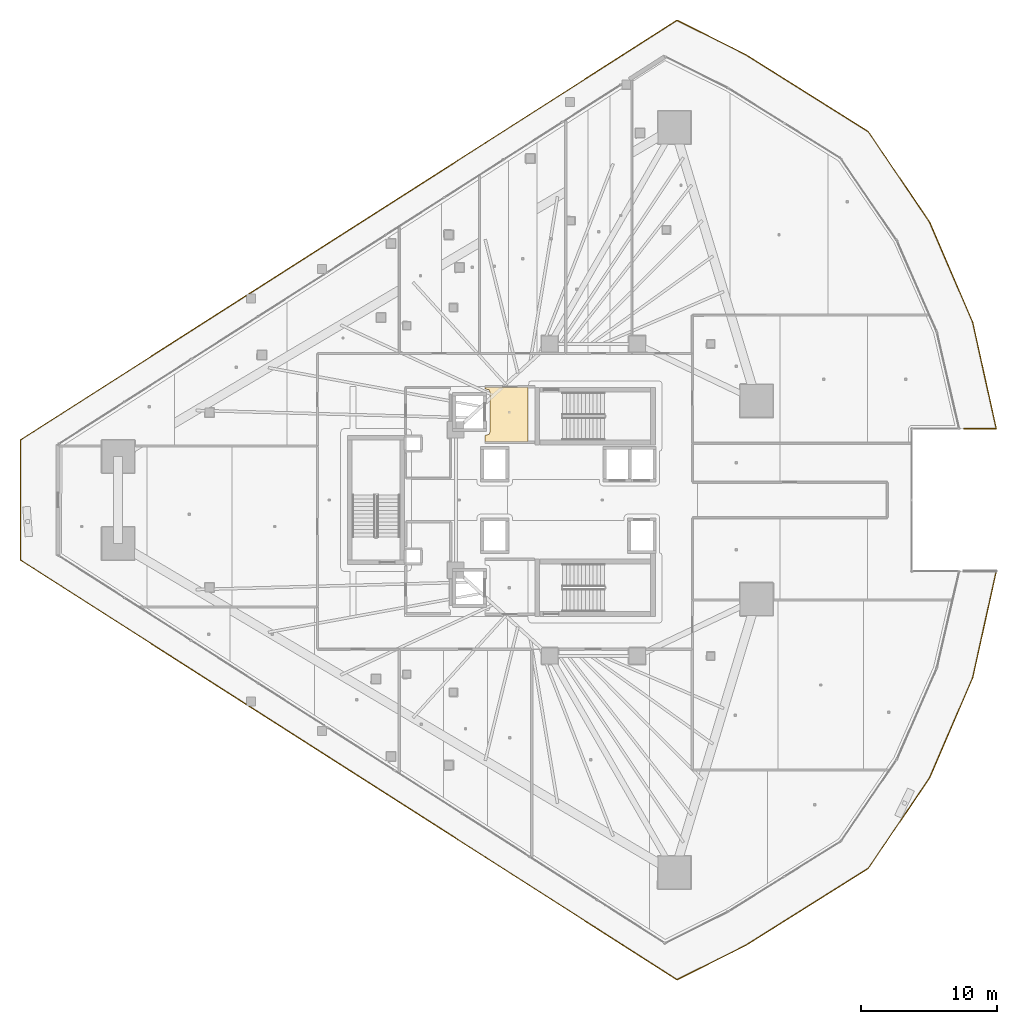
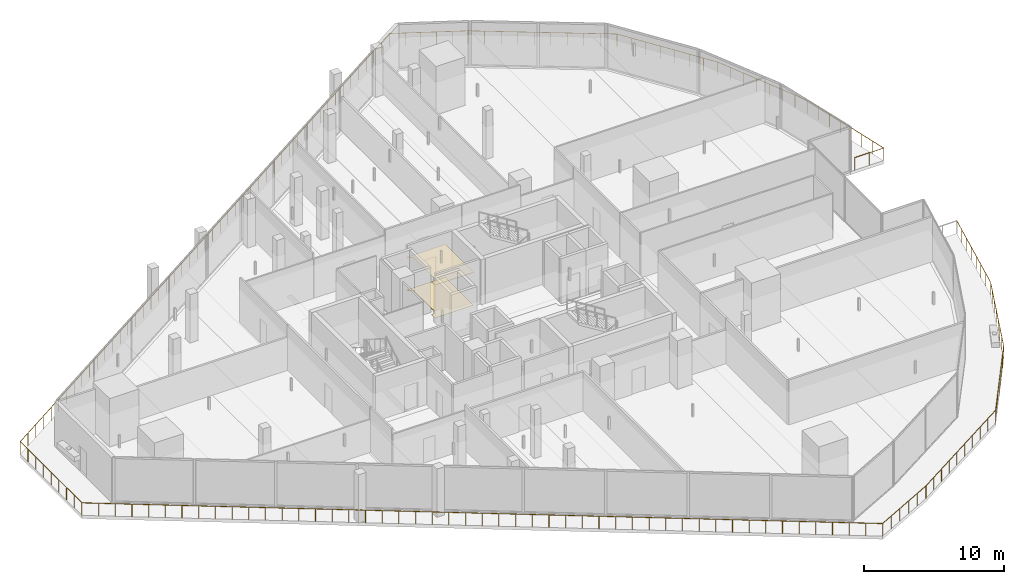
# One storey, part 42 of 44: 2 coverings, 1 railing.
"""IFC4 building model written with IfcOpenShell, lengths in metres."""

from ifc_helpers import new_model, si_unit, direction, frame, origin, origin_2d, place, context, subcontext, project, spatial, polyline, circle, outline, extrude, material, layer, layer_set, type_object, element, save


model = new_model("IFC4")

# Units and contexts
model_context = context("Model", 3, precision=1e-05, world=origin(), true_north=direction((0.0, 1.0)))
body_context = subcontext(model_context, "Body", "Model", "MODEL_VIEW")
ifc_project = project(units=[si_unit("LENGTHUNIT", "METRE"), si_unit("AREAUNIT", "SQUARE_METRE"), si_unit("VOLUMEUNIT", "CUBIC_METRE"), si_unit("PLANEANGLEUNIT", "RADIAN"), si_unit("MASSUNIT", "GRAM", prefix="KILO")], contexts=[model_context])

# Site, building, storey
site_placement = place(None, origin())
site = spatial("IfcSite", under=ifc_project, at=site_placement, CompositionType="ELEMENT")
building_placement = place(site_placement, origin())
building = spatial("IfcBuilding", under=site, at=building_placement, Name="Qorvath Tower", CompositionType="ELEMENT")
storey_placement = place(building_placement, frame((0.0, 0.0, 70.199951171875)))
storey = spatial("IfcBuildingStorey", under=building, at=storey_placement, Name="L15", CompositionType="ELEMENT", Elevation=70.199951171875)

# Coverings
ifc_material_1 = material(Name="Acoustic mineral fibre ceiling tile", Category="gypsum")
ifc_layer_1 = layer(ifc_material_1, 0.030029296875)
ifc_layer_set_1 = layer_set([ifc_layer_1], Name="COV-CEIL")
covering_type_1 = type_object("IfcCoveringType", Name="COV-CEIL", PredefinedType="CEILING", material=ifc_layer_set_1)
covering_1_placement = place(storey_placement, frame((0.0, 0.0, 2.85009765625)))
element("IfcCovering", 1, at=covering_1_placement, inside=storey, type_object=covering_type_1, Name="L15 Suspended Acoustic Ceiling 001", PredefinedType="CEILING", context=body_context, shape_type="SweptSolid", body=[
    extrude(outline(polyline([(-25.18994140625, 4.2548828125), (-25.18994140625, 8.294921875), (-28.375, 8.294921875), (-28.375, 8.159912109375), (-28.063232421875, 8.086669921875), (-27.989990234375, 7.909912109375), (-27.989990234375, 4.989990234375), (-28.063232421875, 4.813232421875), (-28.375, 4.739990234375), (-28.375, 4.2548828125), (-25.18994140625, 4.2548828125)])), origin(), (0.0, 0.0, 1.0), 0.030029296875),
])
ifc_material_2 = material(Name="Polished epoxy terrazzo flooring", Category="concrete")
ifc_layer_2 = layer(ifc_material_2, 0.02001953125)
ifc_layer_set_2 = layer_set([ifc_layer_2], Name="COV-FLOOR-TRZ")
covering_type_2 = type_object("IfcCoveringType", Name="COV-FLOOR-TRZ", PredefinedType="FLOORING", material=ifc_layer_set_2)
covering_2_placement = place(storey_placement, origin())
element("IfcCovering", 2, at=covering_2_placement, inside=storey, type_object=covering_type_2, Name="L15 Floor Finish 001", PredefinedType="FLOORING", context=body_context, shape_type="SweptSolid", body=[
    extrude(outline(polyline([(-25.18994140625, 4.2548828125), (-25.18994140625, 8.294921875), (-28.375, 8.294921875), (-28.375, 8.159912109375), (-28.063232421875, 8.086669921875), (-27.989990234375, 7.909912109375), (-27.989990234375, 4.989990234375), (-28.063232421875, 4.813232421875), (-28.375, 4.739990234375), (-28.375, 4.2548828125), (-25.18994140625, 4.2548828125)])), origin(), (0.0, 0.0, 1.0), 0.01513671875),
])

# Railing
ifc_material_3 = material(Name="Laminated safety glass and stainless steel AISI 316", Category="steel")
railing_type = type_object("IfcRailingType", Name="RL-EXT-GRD", PredefinedType="GUARDRAIL", material=ifc_material_3)
railing_placement = place(storey_placement, frame((9.158447265625, -5.227294921875, 0.0)))
element("IfcRailing", 3, at=railing_placement, inside=storey, type_object=railing_type, Name="Loggia Perimeter Guardrail L15-1.1", PredefinedType="GUARDRAIL", context=body_context, shape_type="SweptSolid", body=[
    extrude(circle(Radius=0.02392578125, at=origin_2d()), frame((0.0, 0.0, 1.09619140625), z_axis=(-0.216100390281, -0.976371149369, 0.0), x_axis=(0.976371149369, -0.216100390281, 0.0)), (0.0, 0.0, 1.0), 8.00439453125),
    extrude(circle(Radius=0.02392578125, at=origin_2d()), frame((-1.729736328125, -7.815185546875, 1.09619140625), z_axis=(-0.395464782779, -0.918481140569, 0.0), x_axis=(0.918481140569, -0.395464782779, 0.0)), (0.0, 0.0, 1.0), 8.004638671875),
    extrude(circle(Radius=0.02392578125, at=origin_2d()), frame((-4.895263671875, -15.167236328125, 1.09619140625), z_axis=(-0.560836680368, -0.827926456851, 0.0), x_axis=(0.827926456851, -0.560836680368, 0.0)), (0.0, 0.0, 1.0), 8.004638671875),
    extrude(circle(Radius=0.02392578125, at=origin_2d()), frame((-9.384521484375, -21.79443359375, 1.09619140625), z_axis=(-0.846498931759, -0.53239041927, 0.0), x_axis=(0.53239041927, -0.846498931759, 0.0)), (0.0, 0.0, 1.0), 10.64453125),
    extrude(circle(Radius=0.02392578125, at=origin_2d()), frame((-18.39501953125, -27.46142578125, 1.09619140625), z_axis=(-0.894418506735, -0.447230963608, 0.0), x_axis=(0.447230963608, -0.894418506735, 0.0)), (0.0, 0.0, 1.0), 5.622802734375),
    extrude(circle(Radius=0.02392578125, at=origin_2d()), frame((-23.424072265625, -29.97607421875, 1.09619140625), z_axis=(-0.842603561998, 0.53853434181, 0.0), x_axis=(-0.53853434181, -0.842603561998, 0.0)), (0.0, 0.0, 1.0), 57.19775390625),
    extrude(circle(Radius=0.02392578125, at=origin_2d()), frame((-71.619140625, 0.826904296875, 1.09619140625), z_axis=(0.0, 1.0, 0.0), x_axis=(-1.0, 0.0, 0.0)), (0.0, 0.0, 1.0), 8.80078125),
    extrude(circle(Radius=0.02392578125, at=origin_2d()), frame((-71.619140625, 9.627685546875, 1.09619140625), z_axis=(0.842603561998, 0.53853434181, 0.0), x_axis=(-0.53853434181, 0.842603561998, 0.0)), (0.0, 0.0, 1.0), 57.19775390625),
    extrude(circle(Radius=0.02392578125, at=origin_2d()), frame((-23.424072265625, 40.4306640625, 1.09619140625), z_axis=(0.894418506735, -0.447230963608, 0.0), x_axis=(0.447230963608, 0.894418506735, 0.0)), (0.0, 0.0, 1.0), 5.622802734375),
    extrude(circle(Radius=0.02392578125, at=origin_2d()), frame((-18.39501953125, 37.916015625, 1.09619140625), z_axis=(0.846498931759, -0.53239041927, 0.0), x_axis=(0.53239041927, 0.846498931759, 0.0)), (0.0, 0.0, 1.0), 10.64453125),
    extrude(circle(Radius=0.02392578125, at=origin_2d()), frame((-9.384521484375, 32.2490234375, 1.09619140625), z_axis=(0.560836680368, -0.827926456851, 0.0), x_axis=(0.827926456851, 0.560836680368, 0.0)), (0.0, 0.0, 1.0), 8.004638671875),
    extrude(circle(Radius=0.02392578125, at=origin_2d()), frame((-4.895263671875, 25.621826171875, 1.09619140625), z_axis=(0.395464782779, -0.918481140569, 0.0), x_axis=(0.918481140569, 0.395464782779, 0.0)), (0.0, 0.0, 1.0), 8.004638671875),
    extrude(circle(Radius=0.02392578125, at=origin_2d()), frame((-1.729736328125, 18.269775390625, 1.09619140625), z_axis=(0.216100390281, -0.976371149369, 0.0), x_axis=(0.976371149369, 0.216100390281, 0.0)), (0.0, 0.0, 1.0), 8.00439453125),
    extrude(circle(Radius=0.02392578125, at=origin_2d()), frame((0.0, 10.45458984375, 1.09619140625), z_axis=(-1.0, 0.0, 0.0), x_axis=(0.0, -1.0, 0.0)), (0.0, 0.0, 1.0), 2.366455078125),
    extrude(circle(Radius=0.02099609375, at=origin_2d()), origin(), (0.0, 0.0, 1.0), 1.072021484375),
    extrude(circle(Radius=0.02099609375, at=origin_2d()), frame((-0.2470703125, -1.116455078125, 0.0)), (0.0, 0.0, 1.0), 1.072021484375),
    extrude(circle(Radius=0.02099609375, at=origin_2d()), frame((-0.494140625, -2.23291015625, 0.0)), (0.0, 0.0, 1.0), 1.072021484375),
    extrude(circle(Radius=0.02099609375, at=origin_2d()), frame((-0.7412109375, -3.349365234375, 0.0)), (0.0, 0.0, 1.0), 1.072021484375),
    extrude(circle(Radius=0.02099609375, at=origin_2d()), frame((-0.988525390625, -4.4658203125, 0.0)), (0.0, 0.0, 1.0), 1.072021484375),
    extrude(circle(Radius=0.02099609375, at=origin_2d()), frame((-1.235595703125, -5.582275390625, 0.0)), (0.0, 0.0, 1.0), 1.072021484375),
    extrude(circle(Radius=0.02099609375, at=origin_2d()), frame((-1.482666015625, -6.69873046875, 0.0)), (0.0, 0.0, 1.0), 1.072021484375),
    extrude(circle(Radius=0.02099609375, at=origin_2d()), frame((-1.729736328125, -7.815185546875, 0.0)), (0.0, 0.0, 1.0), 1.072021484375),
    extrude(circle(Radius=0.02099609375, at=origin_2d()), frame((-2.181884765625, -8.865478515625, 0.0)), (0.0, 0.0, 1.0), 1.072021484375),
    extrude(circle(Radius=0.02099609375, at=origin_2d()), frame((-2.63427734375, -9.915771484375, 0.0)), (0.0, 0.0, 1.0), 1.072021484375),
    extrude(circle(Radius=0.02099609375, at=origin_2d()), frame((-3.08642578125, -10.966064453125, 0.0)), (0.0, 0.0, 1.0), 1.072021484375),
    extrude(circle(Radius=0.02099609375, at=origin_2d()), frame((-3.53857421875, -12.016357421875, 0.0)), (0.0, 0.0, 1.0), 1.072021484375),
    extrude(circle(Radius=0.02099609375, at=origin_2d()), frame((-3.99072265625, -13.066650390625, 0.0)), (0.0, 0.0, 1.0), 1.072021484375),
    extrude(circle(Radius=0.02099609375, at=origin_2d()), frame((-4.443115234375, -14.116943359375, 0.0)), (0.0, 0.0, 1.0), 1.072021484375),
    extrude(circle(Radius=0.02099609375, at=origin_2d()), frame((-4.895263671875, -15.167236328125, 0.0)), (0.0, 0.0, 1.0), 1.072021484375),
    extrude(circle(Radius=0.02099609375, at=origin_2d()), frame((-5.53662109375, -16.114013671875, 0.0)), (0.0, 0.0, 1.0), 1.072021484375),
    extrude(circle(Radius=0.02099609375, at=origin_2d()), frame((-6.177978515625, -17.060791015625, 0.0)), (0.0, 0.0, 1.0), 1.072021484375),
    extrude(circle(Radius=0.02099609375, at=origin_2d()), frame((-6.8193359375, -18.007568359375, 0.0)), (0.0, 0.0, 1.0), 1.072021484375),
    extrude(circle(Radius=0.02099609375, at=origin_2d()), frame((-7.46044921875, -18.9541015625, 0.0)), (0.0, 0.0, 1.0), 1.072021484375),
    extrude(circle(Radius=0.02099609375, at=origin_2d()), frame((-8.101806640625, -19.90087890625, 0.0)), (0.0, 0.0, 1.0), 1.072021484375),
    extrude(circle(Radius=0.02099609375, at=origin_2d()), frame((-8.7431640625, -20.84765625, 0.0)), (0.0, 0.0, 1.0), 1.072021484375),
    extrude(circle(Radius=0.02099609375, at=origin_2d()), frame((-9.384521484375, -21.79443359375, 0.0)), (0.0, 0.0, 1.0), 1.072021484375),
    extrude(circle(Radius=0.02099609375, at=origin_2d()), frame((-10.3857421875, -22.424072265625, 0.0)), (0.0, 0.0, 1.0), 1.072021484375),
    extrude(circle(Radius=0.02099609375, at=origin_2d()), frame((-11.386962890625, -23.0537109375, 0.0)), (0.0, 0.0, 1.0), 1.072021484375),
    extrude(circle(Radius=0.02099609375, at=origin_2d()), frame((-12.387939453125, -23.683349609375, 0.0)), (0.0, 0.0, 1.0), 1.072021484375),
    extrude(circle(Radius=0.02099609375, at=origin_2d()), frame((-13.38916015625, -24.31298828125, 0.0)), (0.0, 0.0, 1.0), 1.072021484375),
    extrude(circle(Radius=0.02099609375, at=origin_2d()), frame((-14.390380859375, -24.94287109375, 0.0)), (0.0, 0.0, 1.0), 1.072021484375),
    extrude(circle(Radius=0.02099609375, at=origin_2d()), frame((-15.3916015625, -25.572509765625, 0.0)), (0.0, 0.0, 1.0), 1.072021484375),
    extrude(circle(Radius=0.02099609375, at=origin_2d()), frame((-16.392578125, -26.2021484375, 0.0)), (0.0, 0.0, 1.0), 1.072021484375),
    extrude(circle(Radius=0.02099609375, at=origin_2d()), frame((-17.393798828125, -26.831787109375, 0.0)), (0.0, 0.0, 1.0), 1.072021484375),
    extrude(circle(Radius=0.02099609375, at=origin_2d()), frame((-18.39501953125, -27.46142578125, 0.0)), (0.0, 0.0, 1.0), 1.072021484375),
    extrude(circle(Radius=0.02099609375, at=origin_2d()), frame((-19.40087890625, -27.96435546875, 0.0)), (0.0, 0.0, 1.0), 1.072021484375),
    extrude(circle(Radius=0.02099609375, at=origin_2d()), frame((-20.40673828125, -28.46728515625, 0.0)), (0.0, 0.0, 1.0), 1.072021484375),
    extrude(circle(Radius=0.02099609375, at=origin_2d()), frame((-21.412353515625, -28.97021484375, 0.0)), (0.0, 0.0, 1.0), 1.072021484375),
    extrude(circle(Radius=0.02099609375, at=origin_2d()), frame((-22.418212890625, -29.47314453125, 0.0)), (0.0, 0.0, 1.0), 1.072021484375),
    extrude(circle(Radius=0.02099609375, at=origin_2d()), frame((-23.424072265625, -29.97607421875, 0.0)), (0.0, 0.0, 1.0), 1.072021484375),
    extrude(circle(Radius=0.02099609375, at=origin_2d()), frame((-24.42822265625, -29.334228515625, 0.0)), (0.0, 0.0, 1.0), 1.072021484375),
    extrude(circle(Radius=0.02099609375, at=origin_2d()), frame((-25.43212890625, -28.692626953125, 0.0)), (0.0, 0.0, 1.0), 1.072021484375),
    extrude(circle(Radius=0.02099609375, at=origin_2d()), frame((-26.436279296875, -28.05078125, 0.0)), (0.0, 0.0, 1.0), 1.072021484375),
    extrude(circle(Radius=0.02099609375, at=origin_2d()), frame((-27.4404296875, -27.4091796875, 0.0)), (0.0, 0.0, 1.0), 1.072021484375),
    extrude(circle(Radius=0.02099609375, at=origin_2d()), frame((-28.4443359375, -26.767333984375, 0.0)), (0.0, 0.0, 1.0), 1.072021484375),
    extrude(circle(Radius=0.02099609375, at=origin_2d()), frame((-29.448486328125, -26.125732421875, 0.0)), (0.0, 0.0, 1.0), 1.072021484375),
    extrude(circle(Radius=0.02099609375, at=origin_2d()), frame((-30.45263671875, -25.48388671875, 0.0)), (0.0, 0.0, 1.0), 1.072021484375),
    extrude(circle(Radius=0.02099609375, at=origin_2d()), frame((-31.45654296875, -24.84228515625, 0.0)), (0.0, 0.0, 1.0), 1.072021484375),
    extrude(circle(Radius=0.02099609375, at=origin_2d()), frame((-32.460693359375, -24.200439453125, 0.0)), (0.0, 0.0, 1.0), 1.072021484375),
    extrude(circle(Radius=0.02099609375, at=origin_2d()), frame((-33.464599609375, -23.558837890625, 0.0)), (0.0, 0.0, 1.0), 1.072021484375),
    extrude(circle(Radius=0.02099609375, at=origin_2d()), frame((-34.46875, -22.9169921875, 0.0)), (0.0, 0.0, 1.0), 1.072021484375),
    extrude(circle(Radius=0.02099609375, at=origin_2d()), frame((-35.472900390625, -22.275390625, 0.0)), (0.0, 0.0, 1.0), 1.072021484375),
    extrude(circle(Radius=0.02099609375, at=origin_2d()), frame((-36.476806640625, -21.633544921875, 0.0)), (0.0, 0.0, 1.0), 1.072021484375),
    extrude(circle(Radius=0.02099609375, at=origin_2d()), frame((-37.48095703125, -20.991943359375, 0.0)), (0.0, 0.0, 1.0), 1.072021484375),
    extrude(circle(Radius=0.02099609375, at=origin_2d()), frame((-38.485107421875, -20.35009765625, 0.0)), (0.0, 0.0, 1.0), 1.072021484375),
    extrude(circle(Radius=0.02099609375, at=origin_2d()), frame((-39.489013671875, -19.70849609375, 0.0)), (0.0, 0.0, 1.0), 1.072021484375),
    extrude(circle(Radius=0.02099609375, at=origin_2d()), frame((-40.4931640625, -19.066650390625, 0.0)), (0.0, 0.0, 1.0), 1.072021484375),
    extrude(circle(Radius=0.02099609375, at=origin_2d()), frame((-41.497314453125, -18.425048828125, 0.0)), (0.0, 0.0, 1.0), 1.072021484375),
    extrude(circle(Radius=0.02099609375, at=origin_2d()), frame((-42.501220703125, -17.783203125, 0.0)), (0.0, 0.0, 1.0), 1.072021484375),
    extrude(circle(Radius=0.02099609375, at=origin_2d()), frame((-43.50537109375, -17.1416015625, 0.0)), (0.0, 0.0, 1.0), 1.072021484375),
    extrude(circle(Radius=0.02099609375, at=origin_2d()), frame((-44.509521484375, -16.499755859375, 0.0)), (0.0, 0.0, 1.0), 1.072021484375),
    extrude(circle(Radius=0.02099609375, at=origin_2d()), frame((-45.513427734375, -15.858154296875, 0.0)), (0.0, 0.0, 1.0), 1.072021484375),
    extrude(circle(Radius=0.02099609375, at=origin_2d()), frame((-46.517578125, -15.21630859375, 0.0)), (0.0, 0.0, 1.0), 1.072021484375),
    extrude(circle(Radius=0.02099609375, at=origin_2d()), frame((-47.521484375, -14.57470703125, 0.0)), (0.0, 0.0, 1.0), 1.072021484375),
    extrude(circle(Radius=0.02099609375, at=origin_2d()), frame((-48.525634765625, -13.932861328125, 0.0)), (0.0, 0.0, 1.0), 1.072021484375),
    extrude(circle(Radius=0.02099609375, at=origin_2d()), frame((-49.52978515625, -13.291015625, 0.0)), (0.0, 0.0, 1.0), 1.072021484375),
    extrude(circle(Radius=0.02099609375, at=origin_2d()), frame((-50.53369140625, -12.6494140625, 0.0)), (0.0, 0.0, 1.0), 1.072021484375),
    extrude(circle(Radius=0.02099609375, at=origin_2d()), frame((-51.537841796875, -12.007568359375, 0.0)), (0.0, 0.0, 1.0), 1.072021484375),
    extrude(circle(Radius=0.02099609375, at=origin_2d()), frame((-52.5419921875, -11.365966796875, 0.0)), (0.0, 0.0, 1.0), 1.072021484375),
    extrude(circle(Radius=0.02099609375, at=origin_2d()), frame((-53.5458984375, -10.72412109375, 0.0)), (0.0, 0.0, 1.0), 1.072021484375),
    extrude(circle(Radius=0.02099609375, at=origin_2d()), frame((-54.550048828125, -10.08251953125, 0.0)), (0.0, 0.0, 1.0), 1.072021484375),
    extrude(circle(Radius=0.02099609375, at=origin_2d()), frame((-55.55419921875, -9.440673828125, 0.0)), (0.0, 0.0, 1.0), 1.072021484375),
    extrude(circle(Radius=0.02099609375, at=origin_2d()), frame((-56.55810546875, -8.799072265625, 0.0)), (0.0, 0.0, 1.0), 1.072021484375),
    extrude(circle(Radius=0.02099609375, at=origin_2d()), frame((-57.562255859375, -8.1572265625, 0.0)), (0.0, 0.0, 1.0), 1.072021484375),
    extrude(circle(Radius=0.02099609375, at=origin_2d()), frame((-58.56640625, -7.515625, 0.0)), (0.0, 0.0, 1.0), 1.072021484375),
    extrude(circle(Radius=0.02099609375, at=origin_2d()), frame((-59.5703125, -6.873779296875, 0.0)), (0.0, 0.0, 1.0), 1.072021484375),
    extrude(circle(Radius=0.02099609375, at=origin_2d()), frame((-60.574462890625, -6.232177734375, 0.0)), (0.0, 0.0, 1.0), 1.072021484375),
    extrude(circle(Radius=0.02099609375, at=origin_2d()), frame((-61.57861328125, -5.59033203125, 0.0)), (0.0, 0.0, 1.0), 1.072021484375),
    extrude(circle(Radius=0.02099609375, at=origin_2d()), frame((-62.58251953125, -4.94873046875, 0.0)), (0.0, 0.0, 1.0), 1.072021484375),
    extrude(circle(Radius=0.02099609375, at=origin_2d()), frame((-63.586669921875, -4.306884765625, 0.0)), (0.0, 0.0, 1.0), 1.072021484375),
    extrude(circle(Radius=0.02099609375, at=origin_2d()), frame((-64.590576171875, -3.665283203125, 0.0)), (0.0, 0.0, 1.0), 1.072021484375),
    extrude(circle(Radius=0.02099609375, at=origin_2d()), frame((-65.5947265625, -3.0234375, 0.0)), (0.0, 0.0, 1.0), 1.072021484375),
    extrude(circle(Radius=0.02099609375, at=origin_2d()), frame((-66.598876953125, -2.3818359375, 0.0)), (0.0, 0.0, 1.0), 1.072021484375),
    extrude(circle(Radius=0.02099609375, at=origin_2d()), frame((-67.602783203125, -1.739990234375, 0.0)), (0.0, 0.0, 1.0), 1.072021484375),
    extrude(circle(Radius=0.02099609375, at=origin_2d()), frame((-68.60693359375, -1.098388671875, 0.0)), (0.0, 0.0, 1.0), 1.072021484375),
    extrude(circle(Radius=0.02099609375, at=origin_2d()), frame((-69.611083984375, -0.45654296875, 0.0)), (0.0, 0.0, 1.0), 1.072021484375),
    extrude(circle(Radius=0.02099609375, at=origin_2d()), frame((-70.614990234375, 0.18505859375, 0.0)), (0.0, 0.0, 1.0), 1.072021484375),
    extrude(circle(Radius=0.02099609375, at=origin_2d()), frame((-71.619140625, 0.826904296875, 0.0)), (0.0, 0.0, 1.0), 1.072021484375),
    extrude(circle(Radius=0.02099609375, at=origin_2d()), frame((-71.619140625, 1.927001953125, 0.0)), (0.0, 0.0, 1.0), 1.072021484375),
    extrude(circle(Radius=0.02099609375, at=origin_2d()), frame((-71.619140625, 3.027099609375, 0.0)), (0.0, 0.0, 1.0), 1.072021484375),
    extrude(circle(Radius=0.02099609375, at=origin_2d()), frame((-71.619140625, 4.127197265625, 0.0)), (0.0, 0.0, 1.0), 1.072021484375),
    extrude(circle(Radius=0.02099609375, at=origin_2d()), frame((-71.619140625, 5.227294921875, 0.0)), (0.0, 0.0, 1.0), 1.072021484375),
    extrude(circle(Radius=0.02099609375, at=origin_2d()), frame((-71.619140625, 6.327392578125, 0.0)), (0.0, 0.0, 1.0), 1.072021484375),
    extrude(circle(Radius=0.02099609375, at=origin_2d()), frame((-71.619140625, 7.427490234375, 0.0)), (0.0, 0.0, 1.0), 1.072021484375),
    extrude(circle(Radius=0.02099609375, at=origin_2d()), frame((-71.619140625, 8.527587890625, 0.0)), (0.0, 0.0, 1.0), 1.072021484375),
    extrude(circle(Radius=0.02099609375, at=origin_2d()), frame((-71.619140625, 9.627685546875, 0.0)), (0.0, 0.0, 1.0), 1.072021484375),
    extrude(circle(Radius=0.02099609375, at=origin_2d()), frame((-70.614990234375, 10.26953125, 0.0)), (0.0, 0.0, 1.0), 1.072021484375),
    extrude(circle(Radius=0.02099609375, at=origin_2d()), frame((-69.611083984375, 10.9111328125, 0.0)), (0.0, 0.0, 1.0), 1.072021484375),
    extrude(circle(Radius=0.02099609375, at=origin_2d()), frame((-68.60693359375, 11.552978515625, 0.0)), (0.0, 0.0, 1.0), 1.072021484375),
    extrude(circle(Radius=0.02099609375, at=origin_2d()), frame((-67.602783203125, 12.194580078125, 0.0)), (0.0, 0.0, 1.0), 1.072021484375),
    extrude(circle(Radius=0.02099609375, at=origin_2d()), frame((-66.598876953125, 12.83642578125, 0.0)), (0.0, 0.0, 1.0), 1.072021484375),
    extrude(circle(Radius=0.02099609375, at=origin_2d()), frame((-65.5947265625, 13.47802734375, 0.0)), (0.0, 0.0, 1.0), 1.072021484375),
    extrude(circle(Radius=0.02099609375, at=origin_2d()), frame((-64.590576171875, 14.119873046875, 0.0)), (0.0, 0.0, 1.0), 1.072021484375),
    extrude(circle(Radius=0.02099609375, at=origin_2d()), frame((-63.586669921875, 14.761474609375, 0.0)), (0.0, 0.0, 1.0), 1.072021484375),
    extrude(circle(Radius=0.02099609375, at=origin_2d()), frame((-62.58251953125, 15.4033203125, 0.0)), (0.0, 0.0, 1.0), 1.072021484375),
    extrude(circle(Radius=0.02099609375, at=origin_2d()), frame((-61.57861328125, 16.044921875, 0.0)), (0.0, 0.0, 1.0), 1.072021484375),
    extrude(circle(Radius=0.02099609375, at=origin_2d()), frame((-60.574462890625, 16.686767578125, 0.0)), (0.0, 0.0, 1.0), 1.072021484375),
    extrude(circle(Radius=0.02099609375, at=origin_2d()), frame((-59.5703125, 17.328369140625, 0.0)), (0.0, 0.0, 1.0), 1.072021484375),
    extrude(circle(Radius=0.02099609375, at=origin_2d()), frame((-58.56640625, 17.97021484375, 0.0)), (0.0, 0.0, 1.0), 1.072021484375),
    extrude(circle(Radius=0.02099609375, at=origin_2d()), frame((-57.562255859375, 18.61181640625, 0.0)), (0.0, 0.0, 1.0), 1.072021484375),
    extrude(circle(Radius=0.02099609375, at=origin_2d()), frame((-56.55810546875, 19.253662109375, 0.0)), (0.0, 0.0, 1.0), 1.072021484375),
    extrude(circle(Radius=0.02099609375, at=origin_2d()), frame((-55.55419921875, 19.895263671875, 0.0)), (0.0, 0.0, 1.0), 1.072021484375),
    extrude(circle(Radius=0.02099609375, at=origin_2d()), frame((-54.550048828125, 20.537109375, 0.0)), (0.0, 0.0, 1.0), 1.072021484375),
    extrude(circle(Radius=0.02099609375, at=origin_2d()), frame((-53.5458984375, 21.1787109375, 0.0)), (0.0, 0.0, 1.0), 1.072021484375),
    extrude(circle(Radius=0.02099609375, at=origin_2d()), frame((-52.5419921875, 21.820556640625, 0.0)), (0.0, 0.0, 1.0), 1.072021484375),
    extrude(circle(Radius=0.02099609375, at=origin_2d()), frame((-51.537841796875, 22.462158203125, 0.0)), (0.0, 0.0, 1.0), 1.072021484375),
    extrude(circle(Radius=0.02099609375, at=origin_2d()), frame((-50.53369140625, 23.10400390625, 0.0)), (0.0, 0.0, 1.0), 1.072021484375),
    extrude(circle(Radius=0.02099609375, at=origin_2d()), frame((-49.52978515625, 23.74560546875, 0.0)), (0.0, 0.0, 1.0), 1.072021484375),
    extrude(circle(Radius=0.02099609375, at=origin_2d()), frame((-48.525634765625, 24.387451171875, 0.0)), (0.0, 0.0, 1.0), 1.072021484375),
    extrude(circle(Radius=0.02099609375, at=origin_2d()), frame((-47.521484375, 25.029296875, 0.0)), (0.0, 0.0, 1.0), 1.072021484375),
    extrude(circle(Radius=0.02099609375, at=origin_2d()), frame((-46.517578125, 25.6708984375, 0.0)), (0.0, 0.0, 1.0), 1.072021484375),
    extrude(circle(Radius=0.02099609375, at=origin_2d()), frame((-45.513427734375, 26.312744140625, 0.0)), (0.0, 0.0, 1.0), 1.072021484375),
    extrude(circle(Radius=0.02099609375, at=origin_2d()), frame((-44.509521484375, 26.954345703125, 0.0)), (0.0, 0.0, 1.0), 1.072021484375),
    extrude(circle(Radius=0.02099609375, at=origin_2d()), frame((-43.50537109375, 27.59619140625, 0.0)), (0.0, 0.0, 1.0), 1.072021484375),
    extrude(circle(Radius=0.02099609375, at=origin_2d()), frame((-42.501220703125, 28.23779296875, 0.0)), (0.0, 0.0, 1.0), 1.072021484375),
    extrude(circle(Radius=0.02099609375, at=origin_2d()), frame((-41.497314453125, 28.879638671875, 0.0)), (0.0, 0.0, 1.0), 1.072021484375),
    extrude(circle(Radius=0.02099609375, at=origin_2d()), frame((-40.4931640625, 29.521240234375, 0.0)), (0.0, 0.0, 1.0), 1.072021484375),
    extrude(circle(Radius=0.02099609375, at=origin_2d()), frame((-39.489013671875, 30.1630859375, 0.0)), (0.0, 0.0, 1.0), 1.072021484375),
    extrude(circle(Radius=0.02099609375, at=origin_2d()), frame((-38.485107421875, 30.8046875, 0.0)), (0.0, 0.0, 1.0), 1.072021484375),
    extrude(circle(Radius=0.02099609375, at=origin_2d()), frame((-37.48095703125, 31.446533203125, 0.0)), (0.0, 0.0, 1.0), 1.072021484375),
    extrude(circle(Radius=0.02099609375, at=origin_2d()), frame((-36.476806640625, 32.088134765625, 0.0)), (0.0, 0.0, 1.0), 1.072021484375),
    extrude(circle(Radius=0.02099609375, at=origin_2d()), frame((-35.472900390625, 32.72998046875, 0.0)), (0.0, 0.0, 1.0), 1.072021484375),
    extrude(circle(Radius=0.02099609375, at=origin_2d()), frame((-34.46875, 33.37158203125, 0.0)), (0.0, 0.0, 1.0), 1.072021484375),
    extrude(circle(Radius=0.02099609375, at=origin_2d()), frame((-33.464599609375, 34.013427734375, 0.0)), (0.0, 0.0, 1.0), 1.072021484375),
    extrude(circle(Radius=0.02099609375, at=origin_2d()), frame((-32.460693359375, 34.655029296875, 0.0)), (0.0, 0.0, 1.0), 1.072021484375),
    extrude(circle(Radius=0.02099609375, at=origin_2d()), frame((-31.45654296875, 35.296875, 0.0)), (0.0, 0.0, 1.0), 1.072021484375),
    extrude(circle(Radius=0.02099609375, at=origin_2d()), frame((-30.45263671875, 35.9384765625, 0.0)), (0.0, 0.0, 1.0), 1.072021484375),
    extrude(circle(Radius=0.02099609375, at=origin_2d()), frame((-29.448486328125, 36.580322265625, 0.0)), (0.0, 0.0, 1.0), 1.072021484375),
    extrude(circle(Radius=0.02099609375, at=origin_2d()), frame((-28.4443359375, 37.221923828125, 0.0)), (0.0, 0.0, 1.0), 1.072021484375),
    extrude(circle(Radius=0.02099609375, at=origin_2d()), frame((-27.4404296875, 37.86376953125, 0.0)), (0.0, 0.0, 1.0), 1.072021484375),
    extrude(circle(Radius=0.02099609375, at=origin_2d()), frame((-26.436279296875, 38.50537109375, 0.0)), (0.0, 0.0, 1.0), 1.072021484375),
    extrude(circle(Radius=0.02099609375, at=origin_2d()), frame((-25.43212890625, 39.147216796875, 0.0)), (0.0, 0.0, 1.0), 1.072021484375),
    extrude(circle(Radius=0.02099609375, at=origin_2d()), frame((-24.42822265625, 39.788818359375, 0.0)), (0.0, 0.0, 1.0), 1.072021484375),
    extrude(circle(Radius=0.02099609375, at=origin_2d()), frame((-23.424072265625, 40.4306640625, 0.0)), (0.0, 0.0, 1.0), 1.072021484375),
    extrude(circle(Radius=0.02099609375, at=origin_2d()), frame((-22.418212890625, 39.927734375, 0.0)), (0.0, 0.0, 1.0), 1.072021484375),
    extrude(circle(Radius=0.02099609375, at=origin_2d()), frame((-21.412353515625, 39.4248046875, 0.0)), (0.0, 0.0, 1.0), 1.072021484375),
    extrude(circle(Radius=0.02099609375, at=origin_2d()), frame((-20.40673828125, 38.921875, 0.0)), (0.0, 0.0, 1.0), 1.072021484375),
    extrude(circle(Radius=0.02099609375, at=origin_2d()), frame((-19.40087890625, 38.4189453125, 0.0)), (0.0, 0.0, 1.0), 1.072021484375),
    extrude(circle(Radius=0.02099609375, at=origin_2d()), frame((-18.39501953125, 37.916015625, 0.0)), (0.0, 0.0, 1.0), 1.072021484375),
    extrude(circle(Radius=0.02099609375, at=origin_2d()), frame((-17.393798828125, 37.286376953125, 0.0)), (0.0, 0.0, 1.0), 1.072021484375),
    extrude(circle(Radius=0.02099609375, at=origin_2d()), frame((-16.392578125, 36.65673828125, 0.0)), (0.0, 0.0, 1.0), 1.072021484375),
    extrude(circle(Radius=0.02099609375, at=origin_2d()), frame((-15.3916015625, 36.027099609375, 0.0)), (0.0, 0.0, 1.0), 1.072021484375),
    extrude(circle(Radius=0.02099609375, at=origin_2d()), frame((-14.390380859375, 35.3974609375, 0.0)), (0.0, 0.0, 1.0), 1.072021484375),
    extrude(circle(Radius=0.02099609375, at=origin_2d()), frame((-13.38916015625, 34.767578125, 0.0)), (0.0, 0.0, 1.0), 1.072021484375),
    extrude(circle(Radius=0.02099609375, at=origin_2d()), frame((-12.387939453125, 34.137939453125, 0.0)), (0.0, 0.0, 1.0), 1.072021484375),
    extrude(circle(Radius=0.02099609375, at=origin_2d()), frame((-11.386962890625, 33.50830078125, 0.0)), (0.0, 0.0, 1.0), 1.072021484375),
    extrude(circle(Radius=0.02099609375, at=origin_2d()), frame((-10.3857421875, 32.878662109375, 0.0)), (0.0, 0.0, 1.0), 1.072021484375),
    extrude(circle(Radius=0.02099609375, at=origin_2d()), frame((-9.384521484375, 32.2490234375, 0.0)), (0.0, 0.0, 1.0), 1.072021484375),
    extrude(circle(Radius=0.02099609375, at=origin_2d()), frame((-8.7431640625, 31.30224609375, 0.0)), (0.0, 0.0, 1.0), 1.072021484375),
    extrude(circle(Radius=0.02099609375, at=origin_2d()), frame((-8.101806640625, 30.35546875, 0.0)), (0.0, 0.0, 1.0), 1.072021484375),
    extrude(circle(Radius=0.02099609375, at=origin_2d()), frame((-7.46044921875, 29.40869140625, 0.0)), (0.0, 0.0, 1.0), 1.072021484375),
    extrude(circle(Radius=0.02099609375, at=origin_2d()), frame((-6.8193359375, 28.462158203125, 0.0)), (0.0, 0.0, 1.0), 1.072021484375),
    extrude(circle(Radius=0.02099609375, at=origin_2d()), frame((-6.177978515625, 27.515380859375, 0.0)), (0.0, 0.0, 1.0), 1.072021484375),
    extrude(circle(Radius=0.02099609375, at=origin_2d()), frame((-5.53662109375, 26.568603515625, 0.0)), (0.0, 0.0, 1.0), 1.072021484375),
    extrude(circle(Radius=0.02099609375, at=origin_2d()), frame((-4.895263671875, 25.621826171875, 0.0)), (0.0, 0.0, 1.0), 1.072021484375),
    extrude(circle(Radius=0.02099609375, at=origin_2d()), frame((-4.443115234375, 24.571533203125, 0.0)), (0.0, 0.0, 1.0), 1.072021484375),
    extrude(circle(Radius=0.02099609375, at=origin_2d()), frame((-3.99072265625, 23.521240234375, 0.0)), (0.0, 0.0, 1.0), 1.072021484375),
    extrude(circle(Radius=0.02099609375, at=origin_2d()), frame((-3.53857421875, 22.470947265625, 0.0)), (0.0, 0.0, 1.0), 1.072021484375),
    extrude(circle(Radius=0.02099609375, at=origin_2d()), frame((-3.08642578125, 21.420654296875, 0.0)), (0.0, 0.0, 1.0), 1.072021484375),
    extrude(circle(Radius=0.02099609375, at=origin_2d()), frame((-2.63427734375, 20.370361328125, 0.0)), (0.0, 0.0, 1.0), 1.072021484375),
    extrude(circle(Radius=0.02099609375, at=origin_2d()), frame((-2.181884765625, 19.320068359375, 0.0)), (0.0, 0.0, 1.0), 1.072021484375),
    extrude(circle(Radius=0.02099609375, at=origin_2d()), frame((-1.729736328125, 18.269775390625, 0.0)), (0.0, 0.0, 1.0), 1.072021484375),
    extrude(circle(Radius=0.02099609375, at=origin_2d()), frame((-1.482666015625, 17.1533203125, 0.0)), (0.0, 0.0, 1.0), 1.072021484375),
    extrude(circle(Radius=0.02099609375, at=origin_2d()), frame((-1.235595703125, 16.036865234375, 0.0)), (0.0, 0.0, 1.0), 1.072021484375),
    extrude(circle(Radius=0.02099609375, at=origin_2d()), frame((-0.988525390625, 14.92041015625, 0.0)), (0.0, 0.0, 1.0), 1.072021484375),
    extrude(circle(Radius=0.02099609375, at=origin_2d()), frame((-0.7412109375, 13.803955078125, 0.0)), (0.0, 0.0, 1.0), 1.072021484375),
    extrude(circle(Radius=0.02099609375, at=origin_2d()), frame((-0.494140625, 12.6875, 0.0)), (0.0, 0.0, 1.0), 1.072021484375),
    extrude(circle(Radius=0.02099609375, at=origin_2d()), frame((-0.2470703125, 11.571044921875, 0.0)), (0.0, 0.0, 1.0), 1.072021484375),
    extrude(circle(Radius=0.02099609375, at=origin_2d()), frame((0.0, 10.45458984375, 0.0)), (0.0, 0.0, 1.0), 1.072021484375),
    extrude(circle(Radius=0.02099609375, at=origin_2d()), frame((-1.18310546875, 10.45458984375, 0.0)), (0.0, 0.0, 1.0), 1.072021484375),
    extrude(circle(Radius=0.02099609375, at=origin_2d()), frame((-2.366455078125, 10.45458984375, 0.0)), (0.0, 0.0, 1.0), 1.072021484375),
])

save(model, "model.ifc")
